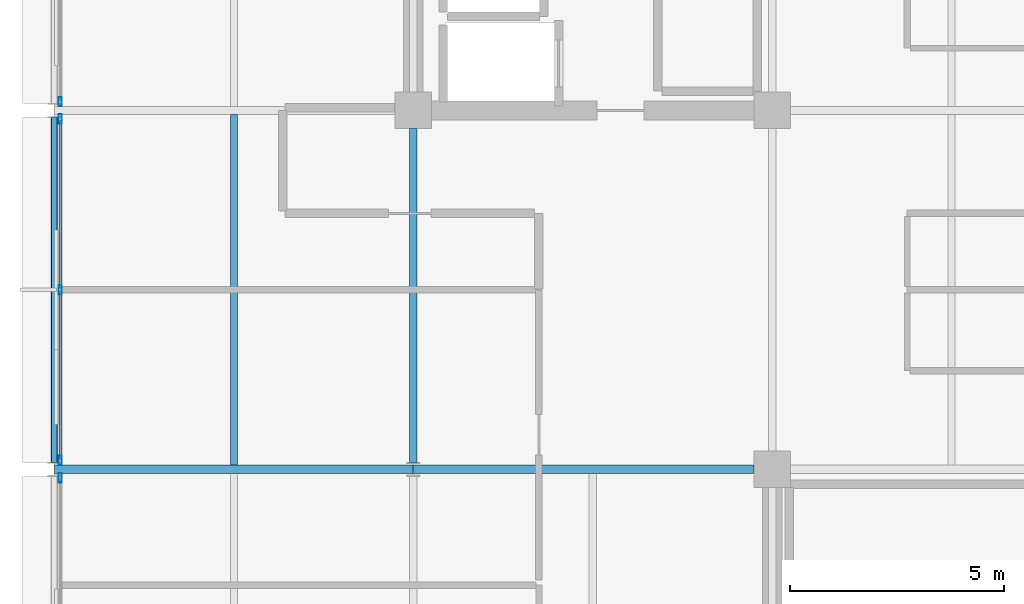
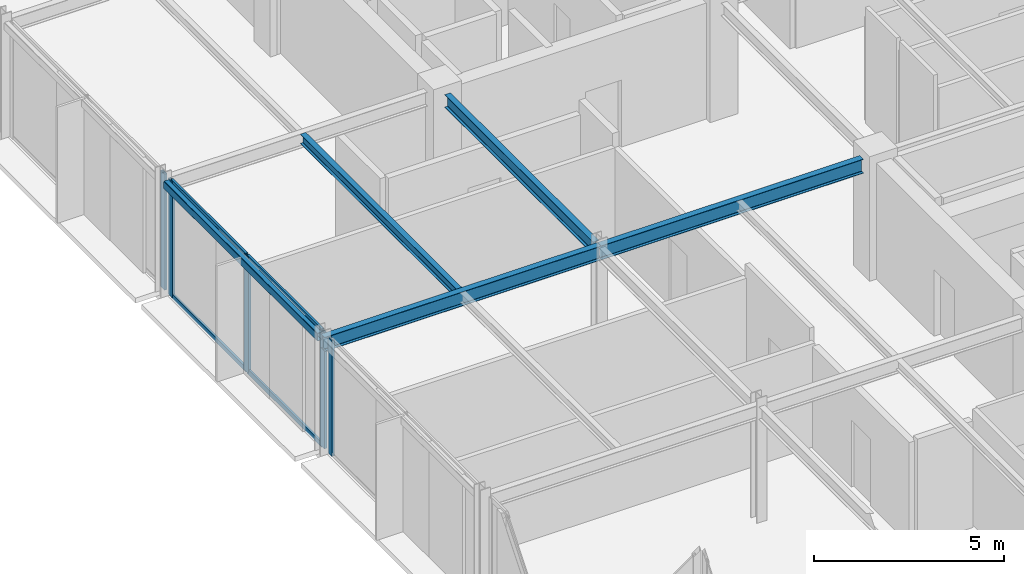
# One storey, part 7 of 23: 9 members, 5 beams, 3 elements without a shape of their own.
"""IFC4 building model written with IfcOpenShell, lengths in metres."""

from ifc_helpers import new_model, si_unit, direction, frame, origin, origin_2d, place, context, subcontext, project, spatial, hollow_rectangle, i_section, extrude, material, layer, layer_set, material_profile, profile_set, type_object, element, aggregate, save


model = new_model("IFC4")

# Units and contexts
model_context = context("Model", 3, precision=1e-05, world=origin(), true_north=direction((0.0, 1.0)))
body_context = subcontext(model_context, "Body", "Model", "MODEL_VIEW")
ifc_project = project(units=[si_unit("LENGTHUNIT", "METRE"), si_unit("AREAUNIT", "SQUARE_METRE"), si_unit("VOLUMEUNIT", "CUBIC_METRE"), si_unit("PLANEANGLEUNIT", "RADIAN"), si_unit("MASSUNIT", "GRAM", prefix="KILO")], contexts=[model_context])

# Site, building, storey
site_placement = place(None, origin())
site = spatial("IfcSite", under=ifc_project, at=site_placement, CompositionType="ELEMENT")
building_placement = place(site_placement, origin())
building = spatial("IfcBuilding", under=site, at=building_placement, Name="Nerrivon Quay Data Exchange", CompositionType="ELEMENT")
storey_placement = place(building_placement, frame((0.0, 0.0, 286.199951171875)))
storey = spatial("IfcBuildingStorey", under=building, at=storey_placement, Name="L68", CompositionType="ELEMENT", Elevation=286.199951171875)

# Beams
ifc_material_1 = material(Name="Steel Grade 350", Category="steel")
ifc_material_profile_1 = material_profile(ifc_material_1, i_section(OverallWidth=0.18994140625, OverallDepth=0.4541015625, WebThickness=0.008544921875, FlangeThickness=0.0126953125, FilletRadius=0.011474609375, at=origin_2d()), Name="460UB67.1")
ifc_profile_set_1 = profile_set([ifc_material_profile_1], Name="Steel Grade 350")
beam_type_1 = type_object("IfcBeamType", Name="BM-G6-460UB67", PredefinedType="BEAM", material=ifc_profile_set_1)
beam_1_placement = place(storey_placement, frame((0.0078125, 16.800048828125, 3.498046875), z_axis=(1.0, 0.0, 0.0), x_axis=(0.0, 1.0, 0.0)))
element("IfcBeam", 1, at=beam_1_placement, inside=storey, type_object=beam_type_1, Name="L68 EW Girder Y=16.8 (0.0..8.4)", PredefinedType="BEAM", context=body_context, shape_type="SweptSolid", body=[
    extrude(i_section(OverallWidth=0.18994140625, OverallDepth=0.4541015625, WebThickness=0.008544921875, FlangeThickness=0.0126953125, FilletRadius=0.011474609375, at=origin_2d()), origin(), (0.0, 0.0, 1.0), 8.38427734375),
])
beam_2_placement = place(storey_placement, frame((8.40771484375, 16.800048828125, 3.498046875), z_axis=(1.0, 0.0, 0.0), x_axis=(0.0, 1.0, 0.0)))
element("IfcBeam", 2, at=beam_2_placement, inside=storey, type_object=beam_type_1, Name="L68 EW Girder Y=16.8 (8.4..16.8)", PredefinedType="BEAM", context=body_context, shape_type="SweptSolid", body=[
    extrude(i_section(OverallWidth=0.18994140625, OverallDepth=0.4541015625, WebThickness=0.008544921875, FlangeThickness=0.0126953125, FilletRadius=0.011474609375, at=origin_2d()), origin(), (0.0, 0.0, 1.0), 7.96728515625),
])
ifc_material_profile_2 = material_profile(ifc_material_1, i_section(OverallWidth=0.177978515625, OverallDepth=0.406005859375, WebThickness=0.0078125, FlangeThickness=0.0126953125, FilletRadius=0.011474609375, at=origin_2d()), Name="410UB59.7")
ifc_profile_set_2 = profile_set([ifc_material_profile_2], Name="Steel Grade 350")
beam_type_2 = type_object("IfcBeamType", Name="BM-J1-410UB60", PredefinedType="JOIST", material=ifc_profile_set_2)
beam_3_placement = place(storey_placement, frame((8.39990234375, 16.96337890625, 3.52197265625), z_axis=(0.0, 1.0, 0.0), x_axis=(-1.0, 0.0, 0.0)))
element("IfcBeam", 3, at=beam_3_placement, inside=storey, type_object=beam_type_2, Name="L68 NS Girder X=8.4 (16.8..25.2)", PredefinedType="JOIST", context=body_context, shape_type="SweptSolid", body=[
    extrude(i_section(OverallWidth=0.177978515625, OverallDepth=0.406005859375, WebThickness=0.0078125, FlangeThickness=0.0126953125, FilletRadius=0.011474609375, at=origin_2d()), origin(), (0.0, 0.0, 1.0), 7.8115234375),
])
ifc_material_profile_3 = material_profile(ifc_material_1, i_section(OverallWidth=0.1650390625, OverallDepth=0.303955078125, WebThickness=0.006103515625, FlangeThickness=0.01025390625, FilletRadius=0.011474609375, at=origin_2d()), Name="310UB40.4")
ifc_profile_set_3 = profile_set([ifc_material_profile_3], Name="Steel Grade 350")
beam_type_3 = type_object("IfcBeamType", Name="BM-J6-310UB40", PredefinedType="JOIST", material=ifc_profile_set_3)
beam_4_placement = place(storey_placement, frame((4.199951171875, 16.89501953125, 3.572998046875), z_axis=(0.0, 1.0, 0.0), x_axis=(-1.0, 0.0, 0.0)))
element("IfcBeam", 4, at=beam_4_placement, inside=storey, type_object=beam_type_3, Name="L68 Secondary Joist X=4.2 (16.8..25.2)", PredefinedType="JOIST", context=body_context, shape_type="SweptSolid", body=[
    extrude(i_section(OverallWidth=0.1650390625, OverallDepth=0.303955078125, WebThickness=0.006103515625, FlangeThickness=0.01025390625, FilletRadius=0.011474609375, at=origin_2d()), origin(), (0.0, 0.0, 1.0), 8.2099609375),
])
ifc_material_2 = material(Name="Steel Grade C350L0 (350 MPa)", Category="steel")
ifc_material_profile_4 = material_profile(ifc_material_2, hollow_rectangle(XDim=0.14990234375, YDim=0.25, WallThickness=0.009033203125, InnerFilletRadius=0.013427734375, OuterFilletRadius=0.0224609375, at=origin_2d()), Name="250x150x9.0RHS")
ifc_profile_set_4 = profile_set([ifc_material_profile_4], Name="Steel Grade C350L0 (350 MPa)")
beam_type_4 = type_object("IfcBeamType", Name="BM-SP4-250x150RHS", PredefinedType="SPANDREL", material=ifc_profile_set_4)
beam_5_placement = place(storey_placement, frame((0.0, 16.96337890625, 3.60009765625), z_axis=(0.0, 1.0, 0.0), x_axis=(-1.0, 0.0, 0.0)))
element("IfcBeam", 5, at=beam_5_placement, inside=storey, type_object=beam_type_4, Name="L68 NS Girder X=0.0 (16.8..25.2)", PredefinedType="SPANDREL", context=body_context, shape_type="SweptSolid", body=[
    extrude(hollow_rectangle(XDim=0.14990234375, YDim=0.25, WallThickness=0.009033203125, InnerFilletRadius=0.013427734375, OuterFilletRadius=0.0224609375, at=origin_2d()), origin(), (0.0, 0.0, 1.0), 8.0732421875),
])

# Curtain wall, member
ifc_material_3 = material(Name="Anodised aluminium 6063-T6", Category="aluminium")
ifc_layer = layer(ifc_material_3, 0.22998046875)
ifc_layer_set = layer_set([ifc_layer], Name="Anodised aluminium 6063-T6")
curtain_wall_type = type_object("IfcCurtainWallType", Name="CW-SYS-05", PredefinedType="NOTDEFINED", material=ifc_layer_set)
curtain_wall_1_placement = place(storey_placement, origin())
curtain_wall_1 = element("IfcCurtainWall", 6, at=curtain_wall_1_placement, inside=storey, type_object=curtain_wall_type, Name="L68 Unitised Curtain Wall 11", PredefinedType="NOTDEFINED")
ifc_material_profile_5 = material_profile(ifc_material_3, hollow_rectangle(XDim=0.074951171875, YDim=0.219970703125, WallThickness=0.00390625, at=origin_2d()), Name="ALU-MULL-220x75")
ifc_profile_set_5 = profile_set([ifc_material_profile_5], Name="Anodised aluminium 6063-T6")
member_type_1 = type_object("IfcMemberType", Name="CWM-220x75", PredefinedType="MULLION", material=ifc_profile_set_5)
member_1_placement = place(storey_placement, frame((0.139892578125, 16.59912109375, 0.0), z_axis=(0.0, 0.0, 1.0), x_axis=(-1.0, 0.0, 0.0)))
member_1 = element("IfcMember", 7, at=member_1_placement, type_object=member_type_1, Name="CW05 mullion 3", PredefinedType="MULLION", context=body_context, shape_type="SweptSolid", body=[
    extrude(hollow_rectangle(XDim=0.074951171875, YDim=0.219970703125, WallThickness=0.00390625, at=origin_2d()), origin(), (0.0, 0.0, 1.0), 3.72509765625),
])
aggregate(curtain_wall_1, [member_1])

# Curtain wall, members
curtain_wall_2_placement = place(storey_placement, origin())
curtain_wall_2 = element("IfcCurtainWall", 8, at=curtain_wall_2_placement, inside=storey, type_object=curtain_wall_type, Name="L68 Unitised Curtain Wall 12", PredefinedType="NOTDEFINED")
member_2_placement = place(storey_placement, frame((0.139892578125, 17.0009765625, 0.0), z_axis=(0.0, 0.0, 1.0), x_axis=(-1.0, 0.0, 0.0)))
member_2 = element("IfcMember", 9, at=member_2_placement, type_object=member_type_1, Name="CW05 mullion 1", PredefinedType="MULLION", context=body_context, shape_type="SweptSolid", body=[
    extrude(hollow_rectangle(XDim=0.074951171875, YDim=0.219970703125, WallThickness=0.00390625, at=origin_2d()), origin(), (0.0, 0.0, 1.0), 3.72509765625),
])
member_3_placement = place(storey_placement, frame((0.139892578125, 21.0, 0.0), z_axis=(0.0, 0.0, 1.0), x_axis=(-1.0, 0.0, 0.0)))
member_3 = element("IfcMember", 10, at=member_3_placement, type_object=member_type_1, Name="CW05 mullion 2", PredefinedType="MULLION", context=body_context, shape_type="SweptSolid", body=[
    extrude(hollow_rectangle(XDim=0.074951171875, YDim=0.219970703125, WallThickness=0.00390625, at=origin_2d()), origin(), (0.0, 0.0, 1.0), 3.72509765625),
])
member_4_placement = place(storey_placement, frame((0.139892578125, 24.9990234375, 0.0), z_axis=(0.0, 0.0, 1.0), x_axis=(-1.0, 0.0, 0.0)))
member_4 = element("IfcMember", 11, at=member_4_placement, type_object=member_type_1, Name="CW05 mullion 3", PredefinedType="MULLION", context=body_context, shape_type="SweptSolid", body=[
    extrude(hollow_rectangle(XDim=0.074951171875, YDim=0.219970703125, WallThickness=0.00390625, at=origin_2d()), origin(), (0.0, 0.0, 1.0), 3.72509765625),
])

# Curtain wall, member
curtain_wall_3_placement = place(storey_placement, origin())
curtain_wall_3 = element("IfcCurtainWall", 12, at=curtain_wall_3_placement, inside=storey, type_object=curtain_wall_type, Name="L68 Unitised Curtain Wall 13", PredefinedType="NOTDEFINED")
member_5_placement = place(storey_placement, frame((0.139892578125, 25.40087890625, 0.0), z_axis=(0.0, 0.0, 1.0), x_axis=(-1.0, 0.0, 0.0)))
member_5 = element("IfcMember", 13, at=member_5_placement, type_object=member_type_1, Name="CW05 mullion 1", PredefinedType="MULLION", context=body_context, shape_type="SweptSolid", body=[
    extrude(hollow_rectangle(XDim=0.074951171875, YDim=0.219970703125, WallThickness=0.00390625, at=origin_2d()), origin(), (0.0, 0.0, 1.0), 3.72509765625),
])
aggregate(curtain_wall_3, [member_5])

# Member
ifc_material_profile_6 = material_profile(ifc_material_3, hollow_rectangle(XDim=0.06494140625, YDim=0.14990234375, WallThickness=0.00341796875, at=origin_2d()), Name="ALU-TRAN-150x65")
ifc_profile_set_6 = profile_set([ifc_material_profile_6], Name="Anodised aluminium 6063-T6")
member_type_2 = type_object("IfcMemberType", Name="CWT-150x65", PredefinedType="USERDEFINED", material=ifc_profile_set_6)
member_6_placement = place(storey_placement, frame((0.139892578125, 17.03857421875, 0.032470703125), z_axis=(0.0, 1.0, 0.0), x_axis=(-1.0, 0.0, 0.0)))
member_6 = element("IfcMember", 14, at=member_6_placement, type_object=member_type_2, Name="CW05 transom 1.1", ObjectType="TRANSOM", PredefinedType="USERDEFINED", context=body_context, shape_type="SweptSolid", body=[
    extrude(hollow_rectangle(XDim=0.06494140625, YDim=0.14990234375, WallThickness=0.00341796875, at=origin_2d()), origin(), (0.0, 0.0, 1.0), 3.923828125),
])

member_7_placement = place(storey_placement, frame((0.139892578125, 17.03857421875, 3.692626953125), z_axis=(0.0, 1.0, 0.0), x_axis=(-1.0, 0.0, 0.0)))
member_7 = element("IfcMember", 15, at=member_7_placement, type_object=member_type_2, Name="CW05 transom 1.2", ObjectType="TRANSOM", PredefinedType="USERDEFINED", context=body_context, shape_type="SweptSolid", body=[
    extrude(hollow_rectangle(XDim=0.06494140625, YDim=0.14990234375, WallThickness=0.00341796875, at=origin_2d()), origin(), (0.0, 0.0, 1.0), 3.923828125),
])

member_8_placement = place(storey_placement, frame((0.139892578125, 21.03759765625, 0.032470703125), z_axis=(0.0, 1.0, 0.0), x_axis=(-1.0, 0.0, 0.0)))
member_8 = element("IfcMember", 16, at=member_8_placement, type_object=member_type_2, Name="CW05 transom 2.1", ObjectType="TRANSOM", PredefinedType="USERDEFINED", context=body_context, shape_type="SweptSolid", body=[
    extrude(hollow_rectangle(XDim=0.06494140625, YDim=0.14990234375, WallThickness=0.00341796875, at=origin_2d()), origin(), (0.0, 0.0, 1.0), 3.923828125),
])

member_9_placement = place(storey_placement, frame((0.139892578125, 21.03759765625, 3.692626953125), z_axis=(0.0, 1.0, 0.0), x_axis=(-1.0, 0.0, 0.0)))
member_9 = element("IfcMember", 17, at=member_9_placement, type_object=member_type_2, Name="CW05 transom 2.2", ObjectType="TRANSOM", PredefinedType="USERDEFINED", context=body_context, shape_type="SweptSolid", body=[
    extrude(hollow_rectangle(XDim=0.06494140625, YDim=0.14990234375, WallThickness=0.00341796875, at=origin_2d()), origin(), (0.0, 0.0, 1.0), 3.923828125),
])

aggregate(curtain_wall_2, [member_2, member_3, member_4, member_6, member_7, member_8, member_9])

save(model, "model.ifc")
